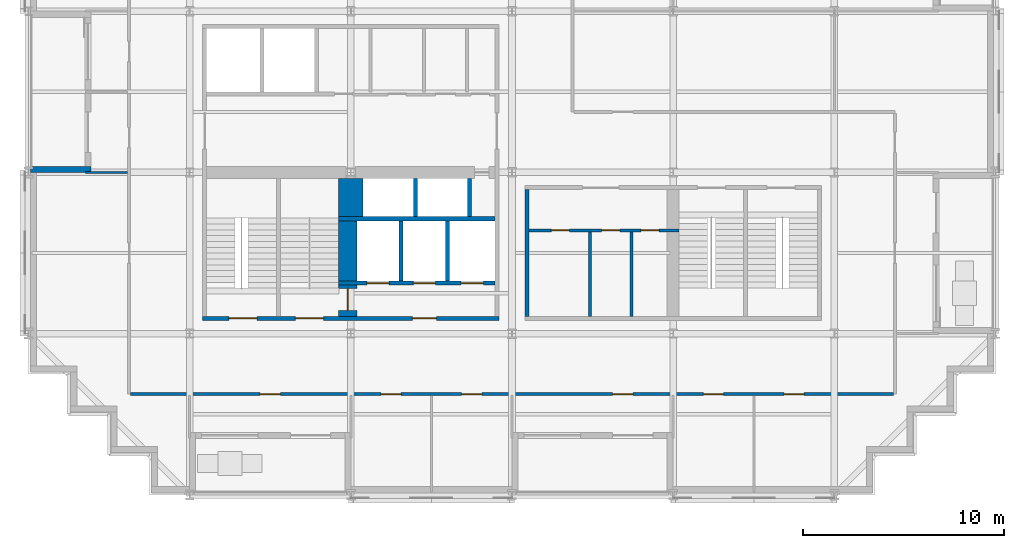
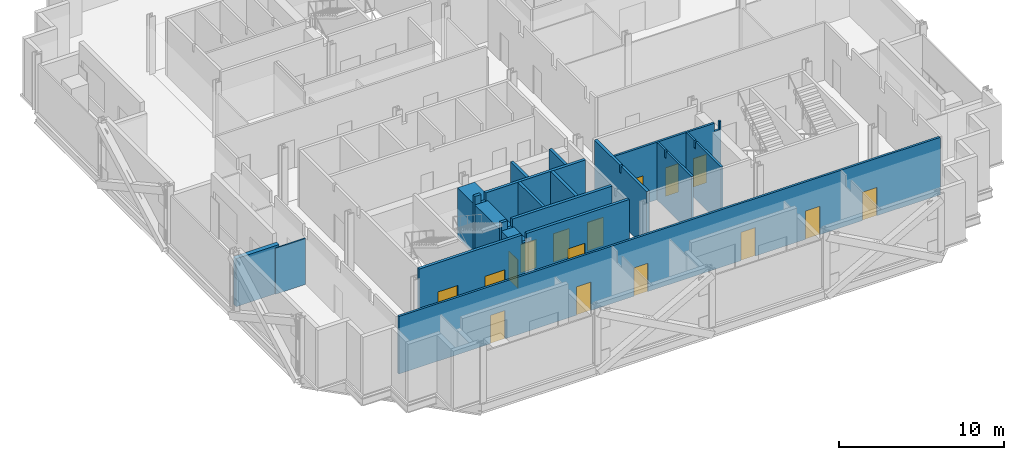
# One storey, part 5 of 13: 17 walls, 16 doors, 16 openings.
"""IFC4 building model written with IfcOpenShell, lengths in metres."""

import ifcopenshell
import ifcopenshell.guid

model = None  # the IFC model being written
_history = None  # IfcOwnerHistory: only IFC2X3 demands one
_inside = {}  # id of a spatial element -> (the spatial element, [elements in it])
_under = {}  # id of a project, library or spatial element -> (it, [spatial elements below it])
_declared = {}  # id of a project -> (the project, [libraries it declares])
_typed = {}  # id of a type object -> (the type object, [elements of that type])
_made_of = {}  # id of a material, layer set ... -> (it, [elements and type objects made of it])


def new_model(schema):
    """Start an empty IFC model of exactly this schema.

    Asked for "IFC4X3", IfcOpenShell would pick the latest addendum, in which some entities
    have other attributes; the version numbers below select the first issue.
    IFC2X3 requires an IfcOwnerHistory on every rooted entity: one is made here for all.
    """
    global model, _history
    if schema == "IFC4X3":
        model = ifcopenshell.file(schema_version=(4, 3, 0, 0))
    else:
        model = ifcopenshell.file(schema=schema)
    _inside.clear()
    _under.clear()
    _declared.clear()
    _typed.clear()
    _made_of.clear()
    _history = None
    if model.schema == "IFC2X3":
        org = make("IfcOrganization", Name="unknown")
        user = make(
            "IfcPersonAndOrganization",
            ThePerson=make("IfcPerson", FamilyName="unknown"),
            TheOrganization=org,
        )
        app = make(
            "IfcApplication",
            ApplicationDeveloper=org,
            Version="unknown",
            ApplicationFullName="unknown",
            ApplicationIdentifier="unknown",
        )
        _history = make(
            "IfcOwnerHistory",
            OwningUser=user,
            OwningApplication=app,
            ChangeAction="ADDED",
            CreationDate=0,
        )
    return model


def make(cls, **values):
    """One entity of the class cls with the attributes given. An attribute that is None is left unset."""
    return model.create_entity(
        cls, **{name: value for name, value in values.items() if value is not None}
    )


def rooted(cls, **values):
    """An entity with a GlobalId (a new one), such as an element, a storey or a relation."""
    return make(cls, GlobalId=ifcopenshell.guid.new(), OwnerHistory=_history, **values)


def si_unit(unit_type, name, prefix=None):
    """IfcSIUnit, for example si_unit("LENGTHUNIT", "METRE", prefix="MILLI")."""
    return make("IfcSIUnit", UnitType=unit_type, Prefix=prefix, Name=name)


def assignment(units):
    """IfcUnitAssignment: the units of a project."""
    return None if units is None else make("IfcUnitAssignment", Units=units)


def point(xyz):
    """IfcCartesianPoint."""
    return None if xyz is None else make("IfcCartesianPoint", Coordinates=xyz)


def direction(xyz):
    """IfcDirection."""
    return None if xyz is None else make("IfcDirection", DirectionRatios=xyz)


def frame(location, z_axis=None, x_axis=None):
    """IfcAxis2Placement3D, a coordinate frame: its origin and axes. An axis left out is left unset."""
    return make(
        "IfcAxis2Placement3D",
        Location=point(location),
        Axis=direction(z_axis),
        RefDirection=direction(x_axis),
    )


def frame_2d(location, x_axis=None):
    """IfcAxis2Placement2D, a coordinate frame in the plane: its origin and x axis."""
    return make(
        "IfcAxis2Placement2D", Location=point(location), RefDirection=direction(x_axis)
    )


def origin():
    """The frame at (0, 0, 0) with its axes left unset."""
    return frame((0.0, 0.0, 0.0))


def place(relative_to, where):
    """IfcLocalPlacement: puts the frame where relative to a parent placement (None: the world)."""
    return make(
        "IfcLocalPlacement", PlacementRelTo=relative_to, RelativePlacement=where
    )


def context(
    kind, dimensions, precision=None, world=None, true_north=None, identifier=None
):
    """IfcGeometricRepresentationContext, for example the 3D "Model" context."""
    return make(
        "IfcGeometricRepresentationContext",
        ContextIdentifier=identifier,
        ContextType=kind,
        CoordinateSpaceDimension=dimensions,
        Precision=precision,
        WorldCoordinateSystem=world,
        TrueNorth=true_north,
    )


def subcontext(parent, identifier, kind, view, scale=None):
    """IfcGeometricRepresentationSubContext, for example "Body" below "Model"."""
    return make(
        "IfcGeometricRepresentationSubContext",
        ContextIdentifier=identifier,
        ContextType=kind,
        ParentContext=parent,
        TargetScale=scale,
        TargetView=view,
    )


def project(units=None, contexts=None):
    """IfcProject with its units and contexts."""
    return rooted(
        "IfcProject",
        Name="project",
        RepresentationContexts=contexts,
        UnitsInContext=assignment(units),
    )


def spatial(cls, under=None, at=None, **own):
    """A site, building, storey or space (cls), placed at a placement, below another one or the project."""
    s = rooted(cls, ObjectPlacement=at, **own)
    if under is not None:
        _under.setdefault(under.id(), (under, []))[1].append(s)
    return s


def polyline(points):
    """IfcPolyline through the points."""
    return make("IfcPolyline", Points=[point(p) for p in points])


def profile(cls, at=None, kind="AREA", **sizes):
    """A parametric profile (cls). Its sizes go by their IFC names, for example OverallWidth=200.0."""
    return make(cls, ProfileType=kind, Position=at, **sizes)


def rectangle(**sizes):
    """IfcRectangleProfileDef."""
    return profile("IfcRectangleProfileDef", **sizes)


def outline(outer, holes=None, kind="AREA"):
    """IfcArbitraryClosedProfileDef: a profile drawn as a closed curve; with holes, ...WithVoids."""
    if holes is None:
        return make("IfcArbitraryClosedProfileDef", ProfileType=kind, OuterCurve=outer)
    return make(
        "IfcArbitraryProfileDefWithVoids",
        ProfileType=kind,
        OuterCurve=outer,
        InnerCurves=holes,
    )


def extrude(swept, where, along, depth):
    """IfcExtrudedAreaSolid: the profile swept, set in the frame where, extruded along a direction by depth."""
    return make(
        "IfcExtrudedAreaSolid",
        SweptArea=swept,
        Position=where,
        ExtrudedDirection=direction(along),
        Depth=depth,
    )


def shape(context_of_items, identifier, shape_type, items):
    """IfcShapeRepresentation: the items that make up one representation, for example the "Body"."""
    return make(
        "IfcShapeRepresentation",
        ContextOfItems=context_of_items,
        RepresentationIdentifier=identifier,
        RepresentationType=shape_type,
        Items=items,
    )


def material(Name=None, Category=None):
    """IfcMaterial."""
    return make("IfcMaterial", Name=Name, Category=Category)


def layer(
    of_material, thickness, ventilated=None, Name=None, Category=None, Priority=None
):
    """IfcMaterialLayer: one layer of a wall or slab, of a material (None: an air gap)."""
    return make(
        "IfcMaterialLayer",
        Material=of_material,
        LayerThickness=thickness,
        IsVentilated=ventilated,
        Name=Name,
        Category=Category,
        Priority=Priority,
    )


def layer_set(layers, Name=None):
    """IfcMaterialLayerSet."""
    return make("IfcMaterialLayerSet", MaterialLayers=layers, LayerSetName=Name)


def made_of(thing, what):
    """Note that an element or type object is made of a material, layer set ...; save() writes the relation."""
    if what is not None:
        _made_of.setdefault(what.id(), (what, []))[1].append(thing)
    return thing


def type_object(cls, material=None, **own):
    """A type object (cls), such as IfcWallType, which elements share."""
    return made_of(rooted(cls, **own), material)


def element(
    cls,
    number,
    at=None,
    inside=None,
    cuts=None,
    type_object=None,
    material=None,
    context=None,
    identifier="Body",
    shape_type=None,
    held_by="IfcProductDefinitionShape",
    body=None,
    shapes=None,
    **own,
):
    """One element of the class cls, such as IfcWall. Its Tag is "e" and its number.

    at: its placement. inside: the storey or other place that contains it. cuts: it is an
    opening in that element (IfcRelVoidsElement). A single representation is given by context,
    identifier, shape_type and body (its items); several are given by shapes. held_by: the class
    of the entity that holds the representations. save() writes the other relations.
    """
    e = rooted(cls, Tag="e%d" % number, ObjectPlacement=at, **own)
    if body is not None:
        shapes = [shape(context, identifier, shape_type, body)]
    if shapes is not None:
        e.Representation = make(held_by, Representations=shapes)
    if inside is not None:
        _inside.setdefault(inside.id(), (inside, []))[1].append(e)
    if cuts is not None:
        rooted(
            "IfcRelVoidsElement", RelatingBuildingElement=cuts, RelatedOpeningElement=e
        )
    if type_object is not None:
        _typed.setdefault(type_object.id(), (type_object, []))[1].append(e)
    return made_of(e, material)


def fill(opening, filler):
    """IfcRelFillsElement: the door or window that sits in an opening."""
    return rooted(
        "IfcRelFillsElement",
        RelatingOpeningElement=opening,
        RelatedBuildingElement=filler,
    )


def aggregate(whole, parts):
    """IfcRelAggregates: a whole, such as a stair, and the parts it consists of."""
    return rooted("IfcRelAggregates", RelatingObject=whole, RelatedObjects=parts)


def save(model, path):
    """Write the relations noted so far, then the file.

    IfcRelAggregates (storeys below a building ...), IfcRelContainedInSpatialStructure (elements
    in a storey), IfcRelDefinesByType, IfcRelAssociatesMaterial and IfcRelDeclares: one each for
    every whole, place, type object, material and project.
    """
    for whole, parts in _under.values():
        aggregate(whole, parts)
    for where, things in _inside.values():
        rooted(
            "IfcRelContainedInSpatialStructure",
            RelatedElements=things,
            RelatingStructure=where,
        )
    for kind, things in _typed.values():
        rooted("IfcRelDefinesByType", RelatedObjects=things, RelatingType=kind)
    for what, things in _made_of.values():
        rooted("IfcRelAssociatesMaterial", RelatedObjects=things, RelatingMaterial=what)
    for by, libraries in _declared.values():
        rooted("IfcRelDeclares", RelatingContext=by, RelatedDefinitions=libraries)
    model.write(path)


model = new_model("IFC4")

# Units and contexts
model_context = context("Model", 3, precision=1e-05, world=origin(), true_north=direction((0.0, 1.0)))
body_context = subcontext(model_context, "Body", "Model", "MODEL_VIEW")
ifc_project = project(units=[si_unit("LENGTHUNIT", "METRE"), si_unit("AREAUNIT", "SQUARE_METRE"), si_unit("VOLUMEUNIT", "CUBIC_METRE"), si_unit("PLANEANGLEUNIT", "RADIAN"), si_unit("MASSUNIT", "GRAM", prefix="KILO")], contexts=[model_context])

# Site, building, storey
site_placement = place(None, origin())
site = spatial("IfcSite", under=ifc_project, at=site_placement, CompositionType="ELEMENT")
building_placement = place(site_placement, origin())
building = spatial("IfcBuilding", under=site, at=building_placement, Name="Immortelle Media Tower", CompositionType="ELEMENT")
storey_placement = place(building_placement, frame((0.0, 0.0, 56.800048828125)))
storey = spatial("IfcBuildingStorey", under=building, at=storey_placement, Name="L09", CompositionType="ELEMENT", Elevation=56.800048828125)

# Wall, openings, doors
ifc_material_1 = material(Name="Fire-rated gypsum board", Category="gypsum")
ifc_layer_1 = layer(ifc_material_1, 0.02490234375)
ifc_material_2 = material(Name="Steel ASTM A653 SS Gr 50 stud frame with mineral wool", Category="steel")
ifc_layer_2 = layer(ifc_material_2, 0.10009765625)
ifc_layer_3 = layer(ifc_material_1, 0.02490234375)
ifc_layer_set_1 = layer_set([ifc_layer_1, ifc_layer_2, ifc_layer_3], Name="Steel ASTM A653 SS Gr 50 stud frame with mineral wool")
wall_type_1 = type_object("IfcWallType", Name="Core partition 150", PredefinedType="PARTITIONING", material=ifc_layer_set_1)
wall_1_placement = place(storey_placement, frame((24.85009765625, 13.125, 0.0), z_axis=(0.0, 0.0, 1.0), x_axis=(1.0, 0.0, 0.0)))
wall_1 = element("IfcWall", 1, at=wall_1_placement, inside=storey, type_object=wall_type_1, Name="Core partition SE", PredefinedType="PARTITIONING", context=body_context, shape_type="SweptSolid", body=[
    extrude(outline(polyline([(0.0, 0.0), (7.449951171875, 0.0), (7.449951171875, 4.25), (7.31689453125, 4.25), (7.31591796875, 3.6318359375), (6.98388671875, 3.6318359375), (6.98291015625, 4.25), (0.0, 4.25), (0.0, 0.0)])), frame((0.0, 0.074951171875, 0.0), z_axis=(0.0, -1.0, 0.0), x_axis=(1.0, 0.0, 0.0)), (0.0, 0.0, 1.0), 0.14990234375),
])
opening_1_placement = place(wall_1_placement, frame((2.0, 0.0, 0.0), z_axis=(0.0, 0.0, 1.0), x_axis=(-1.0, 0.0, 0.0)))
opening_1 = element("IfcOpeningElement", 2, at=opening_1_placement, cuts=wall_1, Name="Opening N2-K044", PredefinedType="OPENING", context=body_context, shape_type="SweptSolid", body=[
    extrude(rectangle(XDim=0.89990234375, YDim=2.10009765625, at=frame_2d((0.449951171875, 1.050048828125))), frame((0.0, 0.0849609375, 0.0), z_axis=(0.0, -1.0, 0.0), x_axis=(1.0, 0.0, 0.0)), (0.0, 0.0, 1.0), 0.169921875),
])
opening_2_placement = place(wall_1_placement, frame((4.5, 0.0, 0.0), z_axis=(0.0, 0.0, 1.0), x_axis=(-1.0, 0.0, 0.0)))
opening_2 = element("IfcOpeningElement", 3, at=opening_2_placement, cuts=wall_1, Name="Opening N2-K045", PredefinedType="OPENING", context=body_context, shape_type="SweptSolid", body=[
    extrude(rectangle(XDim=0.89990234375, YDim=2.10009765625, at=frame_2d((0.449951171875, 1.050048828125))), frame((0.0, 0.0849609375, 0.0), z_axis=(0.0, -1.0, 0.0), x_axis=(1.0, 0.0, 0.0)), (0.0, 0.0, 1.0), 0.169921875),
])
opening_3_placement = place(wall_1_placement, frame((6.449951171875, 0.0, 0.0), z_axis=(0.0, 0.0, 1.0), x_axis=(-1.0, 0.0, 0.0)))
opening_3 = element("IfcOpeningElement", 4, at=opening_3_placement, cuts=wall_1, Name="Opening N2-K046", PredefinedType="OPENING", context=body_context, shape_type="SweptSolid", body=[
    extrude(rectangle(XDim=0.89990234375, YDim=2.10009765625, at=frame_2d((0.449951171875, 1.050048828125))), frame((0.0, 0.0849609375, 0.0), z_axis=(0.0, -1.0, 0.0), x_axis=(1.0, 0.0, 0.0)), (0.0, 0.0, 1.0), 0.169921875),
])
ifc_material_3 = material(Name="Timber", Category="wood")
door_type_1 = type_object("IfcDoorType", Name="Room door 900 x 2100", OperationType="NOTDEFINED", PredefinedType="NOTDEFINED", material=ifc_material_3)
door_1_placement = place(opening_1_placement, origin())
door_1 = element("IfcDoor", 5, at=door_1_placement, inside=storey, type_object=door_type_1, Name="Room N2-K044", OperationType="SINGLE_SWING_RIGHT", OverallHeight=2.10009765625, OverallWidth=0.89990234375, PredefinedType="NOTDEFINED", context=body_context, shape_type="SweptSolid", body=[
    extrude(rectangle(XDim=0.89990234375, YDim=2.10009765625, at=frame_2d((0.449951171875, 1.050048828125))), frame((0.0, 0.02490234375, 0.0), z_axis=(0.0, -1.0, 0.0), x_axis=(1.0, 0.0, 0.0)), (0.0, 0.0, 1.0), 0.050048828125),
])
fill(opening_1, door_1)
door_2_placement = place(opening_2_placement, origin())
door_2 = element("IfcDoor", 6, at=door_2_placement, inside=storey, type_object=door_type_1, Name="Room N2-K045", OperationType="SINGLE_SWING_LEFT", OverallHeight=2.10009765625, OverallWidth=0.89990234375, PredefinedType="NOTDEFINED", context=body_context, shape_type="SweptSolid", body=[
    extrude(rectangle(XDim=0.89990234375, YDim=2.10009765625, at=frame_2d((0.449951171875, 1.050048828125))), frame((0.0, 0.02490234375, 0.0), z_axis=(0.0, -1.0, 0.0), x_axis=(1.0, 0.0, 0.0)), (0.0, 0.0, 1.0), 0.050048828125),
])
fill(opening_2, door_2)
ifc_material_4 = material(Name="Galvanised steel door leaf and frame ASTM A653", Category="steel")
door_type_2 = type_object("IfcDoorType", Name="Service door 900 x 2100", OperationType="NOTDEFINED", PredefinedType="NOTDEFINED", material=ifc_material_4)
door_3_placement = place(opening_3_placement, origin())
door_3 = element("IfcDoor", 7, at=door_3_placement, inside=storey, type_object=door_type_2, Name="Service N2-K046", OperationType="SINGLE_SWING_LEFT", OverallHeight=2.10009765625, OverallWidth=0.89990234375, PredefinedType="NOTDEFINED", context=body_context, shape_type="SweptSolid", body=[
    extrude(rectangle(XDim=0.89990234375, YDim=2.10009765625, at=frame_2d((0.449951171875, 1.050048828125))), frame((0.0, 0.02490234375, 0.0), z_axis=(0.0, -1.0, 0.0), x_axis=(1.0, 0.0, 0.0)), (0.0, 0.0, 1.0), 0.050048828125),
])
fill(opening_3, door_3)

# Walls
for number, where, z_axis, x_axis, name in (
    (8, (27.875, 8.85009765625, 0.0), (0.0, 0.0, 1.0), (0.0, 1.0, 0.0), "Core partition SE"),
    (9, (29.925048828125, 8.85009765625, 0.0), (0.0, 0.0, 1.0), (0.0, 1.0, 0.0), "Core partition SE"),
):
    element("IfcWall", number, at=place(storey_placement, frame(where, z_axis=z_axis, x_axis=x_axis)), inside=storey, type_object=wall_type_1, Name=name, PredefinedType="PARTITIONING", context=body_context, shape_type="SweptSolid", body=[
        extrude(outline(polyline([(0.0, 0.0), (4.199951171875, 0.0), (4.199951171875, 4.25), (3.238525390625, 4.25), (3.237548828125, 3.7080078125), (3.0625, 3.7080078125), (3.0615234375, 4.25), (0.0, 4.25), (0.0, 0.0)])), frame((0.0, 0.074951171875, 0.0), z_axis=(0.0, -1.0, 0.0), x_axis=(1.0, 0.0, 0.0)), (0.0, 0.0, 1.0), 0.14990234375),
    ])

# Wall, openings, doors
ifc_layer_4 = layer(ifc_material_1, 0.03759765625)
ifc_layer_5 = layer(ifc_material_2, 0.125)
ifc_layer_6 = layer(ifc_material_1, 0.03759765625)
ifc_layer_set_2 = layer_set([ifc_layer_4, ifc_layer_5, ifc_layer_6], Name="Steel ASTM A653 SS Gr 50 stud frame with mineral wool")
wall_type_2 = type_object("IfcWallType", Name="Core shaft wall 200", PredefinedType="PARTITIONING", material=ifc_layer_set_2)
wall_2_placement = place(storey_placement, frame((15.39990234375, 10.5, 0.0), z_axis=(0.0, 0.0, 1.0), x_axis=(1.0, 0.0, 0.0)))
wall_2 = element("IfcWall", 10, at=wall_2_placement, inside=storey, type_object=wall_type_2, Name="Core shaft wall SW", PredefinedType="PARTITIONING", context=body_context, shape_type="SweptSolid", body=[
    extrude(outline(polyline([(0.0, 0.0), (7.75, 0.0), (7.75, 4.25), (0.76708984375, 4.25), (0.76611328125, 3.6318359375), (0.43408203125, 3.6318359375), (0.43310546875, 4.25), (0.0, 4.25), (0.0, 0.0)])), frame((0.0, 0.10009765625, 0.0), z_axis=(0.0, -1.0, 0.0), x_axis=(1.0, 0.0, 0.0)), (0.0, 0.0, 1.0), 0.199951171875),
])
opening_4_placement = place(wall_2_placement, frame((1.39990234375, 0.0, 0.0)))
opening_4 = element("IfcOpeningElement", 11, at=opening_4_placement, cuts=wall_2, Name="Opening LD", PredefinedType="OPENING", context=body_context, shape_type="SweptSolid", body=[
    extrude(rectangle(XDim=1.10009765625, YDim=2.10009765625, at=frame_2d((0.550048828125, 1.050048828125))), frame((0.0, 0.10986328125, 0.0), z_axis=(0.0, -1.0, 0.0), x_axis=(1.0, 0.0, 0.0)), (0.0, 0.0, 1.0), 0.219970703125),
])
opening_5_placement = place(wall_2_placement, frame((3.699951171875, 0.0, 0.0)))
opening_5 = element("IfcOpeningElement", 12, at=opening_5_placement, cuts=wall_2, Name="Opening LD", PredefinedType="OPENING", context=body_context, shape_type="SweptSolid", body=[
    extrude(rectangle(XDim=1.10009765625, YDim=2.10009765625, at=frame_2d((0.550048828125, 1.050048828125))), frame((0.0, 0.10986328125, 0.0), z_axis=(0.0, -1.0, 0.0), x_axis=(1.0, 0.0, 0.0)), (0.0, 0.0, 1.0), 0.219970703125),
])
opening_6_placement = place(wall_2_placement, frame((6.074951171875, 0.0, 0.0)))
opening_6 = element("IfcOpeningElement", 13, at=opening_6_placement, cuts=wall_2, Name="Opening LD", PredefinedType="OPENING", context=body_context, shape_type="SweptSolid", body=[
    extrude(rectangle(XDim=1.10009765625, YDim=2.10009765625, at=frame_2d((0.550048828125, 1.050048828125))), frame((0.0, 0.10986328125, 0.0), z_axis=(0.0, -1.0, 0.0), x_axis=(1.0, 0.0, 0.0)), (0.0, 0.0, 1.0), 0.219970703125),
])
ifc_material_5 = material(Name="Stainless steel AISI 304", Category="steel")
door_type_3 = type_object("IfcDoorType", Name="Landing door 1100 x 2100", OperationType="SLIDING_TO_LEFT", PredefinedType="NOTDEFINED", material=ifc_material_5)
door_4_placement = place(opening_4_placement, origin())
door_4 = element("IfcDoor", 14, at=door_4_placement, inside=storey, type_object=door_type_3, Name="Landing door FF1 L09", OperationType="SLIDING_TO_LEFT", OverallHeight=2.10009765625, OverallWidth=1.10009765625, PredefinedType="NOTDEFINED", context=body_context, shape_type="SweptSolid", body=[
    extrude(rectangle(XDim=1.10009765625, YDim=2.10009765625, at=frame_2d((0.550048828125, 1.050048828125))), frame((0.0, 0.02490234375, 0.0), z_axis=(0.0, -1.0, 0.0), x_axis=(1.0, 0.0, 0.0)), (0.0, 0.0, 1.0), 0.050048828125),
])
fill(opening_4, door_4)
door_5_placement = place(opening_5_placement, origin())
door_5 = element("IfcDoor", 15, at=door_5_placement, inside=storey, type_object=door_type_3, Name="Landing door FF2 L09", OperationType="SLIDING_TO_LEFT", OverallHeight=2.10009765625, OverallWidth=1.10009765625, PredefinedType="NOTDEFINED", context=body_context, shape_type="SweptSolid", body=[
    extrude(rectangle(XDim=1.10009765625, YDim=2.10009765625, at=frame_2d((0.550048828125, 1.050048828125))), frame((0.0, 0.02490234375, 0.0), z_axis=(0.0, -1.0, 0.0), x_axis=(1.0, 0.0, 0.0)), (0.0, 0.0, 1.0), 0.050048828125),
])
fill(opening_5, door_5)
door_6_placement = place(opening_6_placement, origin())
door_6 = element("IfcDoor", 16, at=door_6_placement, inside=storey, type_object=door_type_3, Name="Landing door FF3 L09", OperationType="SLIDING_TO_LEFT", OverallHeight=2.10009765625, OverallWidth=1.10009765625, PredefinedType="NOTDEFINED", context=body_context, shape_type="SweptSolid", body=[
    extrude(rectangle(XDim=1.10009765625, YDim=2.10009765625, at=frame_2d((0.550048828125, 1.050048828125))), frame((0.0, 0.02490234375, 0.0), z_axis=(0.0, -1.0, 0.0), x_axis=(1.0, 0.0, 0.0)), (0.0, 0.0, 1.0), 0.050048828125),
])
fill(opening_6, door_6)

# Walls
wall_3_placement = place(storey_placement, frame((15.39990234375, 13.699951171875, 0.0), z_axis=(0.0, 0.0, 1.0), x_axis=(1.0, 0.0, 0.0)))
element("IfcWall", 17, at=wall_3_placement, inside=storey, type_object=wall_type_2, Name="Core shaft wall SW", PredefinedType="PARTITIONING", context=body_context, shape_type="SweptSolid", body=[
    extrude(outline(polyline([(0.0, 0.0), (7.75, 0.0), (7.75, 4.25), (0.76708984375, 4.25), (0.76611328125, 3.6318359375), (0.43408203125, 3.6318359375), (0.43310546875, 4.25), (0.0, 4.25), (0.0, 0.0)])), frame((0.0, 0.10009765625, 0.0), z_axis=(0.0, -1.0, 0.0), x_axis=(1.0, 0.0, 0.0)), (0.0, 0.0, 1.0), 0.199951171875),
])
wall_4_placement = place(storey_placement, frame((18.5, 10.60009765625, 0.0), z_axis=(0.0, 0.0, 1.0), x_axis=(0.0, 1.0, 0.0)))
element("IfcWall", 18, at=wall_4_placement, inside=storey, type_object=wall_type_2, Name="Core shaft wall SW", PredefinedType="PARTITIONING", context=body_context, shape_type="SweptSolid", body=[
    extrude(rectangle(XDim=3.0, YDim=0.199951171875, at=frame_2d((1.5, 0.0))), origin(), (0.0, 0.0, 1.0), 4.25),
])
wall_5_placement = place(storey_placement, frame((19.199951171875, 13.800048828125, 0.0), z_axis=(0.0, 0.0, 1.0), x_axis=(0.0, 1.0, 0.0)))
element("IfcWall", 19, at=wall_5_placement, inside=storey, type_object=wall_type_2, Name="Core shaft wall SW", PredefinedType="PARTITIONING", context=body_context, shape_type="SweptSolid", body=[
    extrude(rectangle(XDim=1.89990234375, YDim=0.199951171875, at=frame_2d((0.949951171875, 0.0))), origin(), (0.0, 0.0, 1.0), 4.25),
])
wall_6_placement = place(storey_placement, frame((20.800048828125, 10.60009765625, 0.0), z_axis=(0.0, 0.0, 1.0), x_axis=(0.0, 1.0, 0.0)))
element("IfcWall", 20, at=wall_6_placement, inside=storey, type_object=wall_type_2, Name="Core shaft wall SW", PredefinedType="PARTITIONING", context=body_context, shape_type="SweptSolid", body=[
    extrude(rectangle(XDim=3.0, YDim=0.199951171875, at=frame_2d((1.5, 0.0))), origin(), (0.0, 0.0, 1.0), 4.25),
])
wall_7_placement = place(storey_placement, frame((21.89990234375, 13.800048828125, 0.0), z_axis=(0.0, 0.0, 1.0), x_axis=(0.0, 1.0, 0.0)))
element("IfcWall", 21, at=wall_7_placement, inside=storey, type_object=wall_type_2, Name="Core shaft wall SW", PredefinedType="PARTITIONING", context=body_context, shape_type="SweptSolid", body=[
    extrude(rectangle(XDim=1.89990234375, YDim=0.199951171875, at=frame_2d((0.949951171875, 0.0))), origin(), (0.0, 0.0, 1.0), 4.25),
])
wall_8_placement = place(storey_placement, frame((24.75, 8.85009765625, 0.0), z_axis=(0.0, 0.0, 1.0), x_axis=(0.0, 1.0, 0.0)))
element("IfcWall", 22, at=wall_8_placement, inside=storey, type_object=wall_type_2, Name="Core shaft wall SE", PredefinedType="PARTITIONING", context=body_context, shape_type="SweptSolid", body=[
    extrude(outline(polyline([(0.0, 0.0), (6.2998046875, 0.0), (6.300048828125, 4.25), (3.238525390625, 4.25), (3.237548828125, 3.7080078125), (3.0625, 3.7080078125), (3.0615234375, 4.25), (0.0, 4.25), (0.0, 0.0)])), frame((0.0, 0.10009765625, 0.0), z_axis=(0.0, -1.0, 0.0), x_axis=(1.0, 0.0, 0.0)), (0.0, 0.0, 1.0), 0.199951171875),
])

# Wall, openings, doors
ifc_layer_7 = layer(ifc_material_1, 0.012451171875)
ifc_layer_8 = layer(ifc_material_2, 0.125)
ifc_layer_9 = layer(ifc_material_1, 0.012451171875)
ifc_layer_set_3 = layer_set([ifc_layer_7, ifc_layer_8, ifc_layer_9], Name="Steel ASTM A653 SS Gr 50 stud frame with mineral wool")
wall_type_3 = type_object("IfcWallType", Name="Corridor wall 150", PredefinedType="PARTITIONING", material=ifc_layer_set_3)
wall_9_placement = place(storey_placement, frame((5.074951171875, 5.0, 0.0), z_axis=(0.0, 0.0, 1.0), x_axis=(1.0, 0.0, 0.0)))
wall_9 = element("IfcWall", 23, at=wall_9_placement, inside=storey, type_object=wall_type_3, Name="Partition L09-007", PredefinedType="PARTITIONING", context=body_context, shape_type="SweptSolid", body=[
    extrude(rectangle(XDim=37.85009765625, YDim=0.14990234375, at=frame_2d((18.925048828125, 0.0))), origin(), (0.0, 0.0, 1.0), 4.25),
])
opening_7_placement = place(wall_9_placement, frame((13.425048828125, 0.0, 0.0), z_axis=(0.0, 0.0, 1.0), x_axis=(-1.0, 0.0, 0.0)))
opening_7 = element("IfcOpeningElement", 24, at=opening_7_placement, cuts=wall_9, Name="Opening N2-F001", PredefinedType="OPENING", context=body_context, shape_type="SweptSolid", body=[
    extrude(rectangle(XDim=1.0, YDim=2.10009765625, at=frame_2d((0.5, 1.050048828125))), frame((0.0, 0.0849609375, 0.0), z_axis=(0.0, -1.0, 0.0), x_axis=(1.0, 0.0, 0.0)), (0.0, 0.0, 1.0), 0.169921875),
])
opening_8_placement = place(wall_9_placement, frame((17.425048828125, 0.0, 0.0), z_axis=(0.0, 0.0, 1.0), x_axis=(-1.0, 0.0, 0.0)))
opening_8 = element("IfcOpeningElement", 25, at=opening_8_placement, cuts=wall_9, Name="Opening N2-F002", PredefinedType="OPENING", context=body_context, shape_type="SweptSolid", body=[
    extrude(rectangle(XDim=1.0, YDim=2.10009765625, at=frame_2d((0.5, 1.050048828125))), frame((0.0, 0.0849609375, 0.0), z_axis=(0.0, -1.0, 0.0), x_axis=(1.0, 0.0, 0.0)), (0.0, 0.0, 1.0), 0.169921875),
])
opening_9_placement = place(wall_9_placement, frame((29.425048828125, 0.0, 0.0), z_axis=(0.0, 0.0, 1.0), x_axis=(-1.0, 0.0, 0.0)))
opening_9 = element("IfcOpeningElement", 26, at=opening_9_placement, cuts=wall_9, Name="Opening N2-F003", PredefinedType="OPENING", context=body_context, shape_type="SweptSolid", body=[
    extrude(rectangle(XDim=1.0, YDim=2.10009765625, at=frame_2d((0.5, 1.050048828125))), frame((0.0, 0.0849609375, 0.0), z_axis=(0.0, -1.0, 0.0), x_axis=(1.0, 0.0, 0.0)), (0.0, 0.0, 1.0), 0.169921875),
])
opening_10_placement = place(wall_9_placement, frame((33.425048828125, 0.0, 0.0), z_axis=(0.0, 0.0, 1.0), x_axis=(-1.0, 0.0, 0.0)))
opening_10 = element("IfcOpeningElement", 27, at=opening_10_placement, cuts=wall_9, Name="Opening N2-F004", PredefinedType="OPENING", context=body_context, shape_type="SweptSolid", body=[
    extrude(rectangle(XDim=1.0, YDim=2.10009765625, at=frame_2d((0.5, 1.050048828125))), frame((0.0, 0.0849609375, 0.0), z_axis=(0.0, -1.0, 0.0), x_axis=(1.0, 0.0, 0.0)), (0.0, 0.0, 1.0), 0.169921875),
])
opening_11_placement = place(wall_9_placement, frame((7.425048828125, 0.0, 0.0), z_axis=(0.0, 0.0, 1.0), x_axis=(-1.0, 0.0, 0.0)))
opening_11 = element("IfcOpeningElement", 28, at=opening_11_placement, cuts=wall_9, Name="Opening N2-F005", PredefinedType="OPENING", context=body_context, shape_type="SweptSolid", body=[
    extrude(rectangle(XDim=1.0, YDim=2.10009765625, at=frame_2d((0.5, 1.050048828125))), frame((0.0, 0.0849609375, 0.0), z_axis=(0.0, -1.0, 0.0), x_axis=(1.0, 0.0, 0.0)), (0.0, 0.0, 1.0), 0.169921875),
])
opening_12_placement = place(wall_9_placement, frame((24.925048828125, 0.0, 0.0), z_axis=(0.0, 0.0, 1.0), x_axis=(-1.0, 0.0, 0.0)))
opening_12 = element("IfcOpeningElement", 29, at=opening_12_placement, cuts=wall_9, Name="Opening N2-F006", PredefinedType="OPENING", context=body_context, shape_type="SweptSolid", body=[
    extrude(rectangle(XDim=1.0, YDim=2.10009765625, at=frame_2d((0.5, 1.050048828125))), frame((0.0, 0.0849609375, 0.0), z_axis=(0.0, -1.0, 0.0), x_axis=(1.0, 0.0, 0.0)), (0.0, 0.0, 1.0), 0.169921875),
])
ifc_material_6 = material(Name="Timber veneered door leaf, galvanised steel frame ASTM A653", Category="steel")
door_type_4 = type_object("IfcDoorType", Name="Room door 1000 x 2100", OperationType="NOTDEFINED", PredefinedType="DOOR", material=ifc_material_6)
door_7_placement = place(opening_7_placement, origin())
door_7 = element("IfcDoor", 30, at=door_7_placement, inside=storey, type_object=door_type_4, Name="Door N2-F001", OperationType="SINGLE_SWING_LEFT", OverallHeight=2.10009765625, OverallWidth=1.0, PredefinedType="DOOR", context=body_context, shape_type="SweptSolid", body=[
    extrude(rectangle(XDim=1.0, YDim=2.10009765625, at=frame_2d((0.5, 1.050048828125))), frame((0.0, 0.02490234375, 0.0), z_axis=(0.0, -1.0, 0.0), x_axis=(1.0, 0.0, 0.0)), (0.0, 0.0, 1.0), 0.050048828125),
])
fill(opening_7, door_7)
door_8_placement = place(opening_8_placement, origin())
door_8 = element("IfcDoor", 31, at=door_8_placement, inside=storey, type_object=door_type_4, Name="Door N2-F002", OperationType="SINGLE_SWING_LEFT", OverallHeight=2.10009765625, OverallWidth=1.0, PredefinedType="DOOR", context=body_context, shape_type="SweptSolid", body=[
    extrude(rectangle(XDim=1.0, YDim=2.10009765625, at=frame_2d((0.5, 1.050048828125))), frame((0.0, 0.02490234375, 0.0), z_axis=(0.0, -1.0, 0.0), x_axis=(1.0, 0.0, 0.0)), (0.0, 0.0, 1.0), 0.050048828125),
])
fill(opening_8, door_8)
door_9_placement = place(opening_9_placement, origin())
door_9 = element("IfcDoor", 32, at=door_9_placement, inside=storey, type_object=door_type_4, Name="Door N2-F003", OperationType="SINGLE_SWING_RIGHT", OverallHeight=2.10009765625, OverallWidth=1.0, PredefinedType="DOOR", context=body_context, shape_type="SweptSolid", body=[
    extrude(rectangle(XDim=1.0, YDim=2.10009765625, at=frame_2d((0.5, 1.050048828125))), frame((0.0, 0.02490234375, 0.0), z_axis=(0.0, -1.0, 0.0), x_axis=(1.0, 0.0, 0.0)), (0.0, 0.0, 1.0), 0.050048828125),
])
fill(opening_9, door_9)
door_10_placement = place(opening_10_placement, origin())
door_10 = element("IfcDoor", 33, at=door_10_placement, inside=storey, type_object=door_type_4, Name="Door N2-F004", OperationType="SINGLE_SWING_RIGHT", OverallHeight=2.10009765625, OverallWidth=1.0, PredefinedType="DOOR", context=body_context, shape_type="SweptSolid", body=[
    extrude(rectangle(XDim=1.0, YDim=2.10009765625, at=frame_2d((0.5, 1.050048828125))), frame((0.0, 0.02490234375, 0.0), z_axis=(0.0, -1.0, 0.0), x_axis=(1.0, 0.0, 0.0)), (0.0, 0.0, 1.0), 0.050048828125),
])
fill(opening_10, door_10)
door_11_placement = place(opening_11_placement, origin())
door_11 = element("IfcDoor", 34, at=door_11_placement, inside=storey, type_object=door_type_4, Name="Door N2-F005", OperationType="SINGLE_SWING_RIGHT", OverallHeight=2.10009765625, OverallWidth=1.0, PredefinedType="DOOR", context=body_context, shape_type="SweptSolid", body=[
    extrude(rectangle(XDim=1.0, YDim=2.10009765625, at=frame_2d((0.5, 1.050048828125))), frame((0.0, 0.02490234375, 0.0), z_axis=(0.0, -1.0, 0.0), x_axis=(1.0, 0.0, 0.0)), (0.0, 0.0, 1.0), 0.050048828125),
])
fill(opening_11, door_11)
door_12_placement = place(opening_12_placement, origin())
door_12 = element("IfcDoor", 35, at=door_12_placement, inside=storey, type_object=door_type_4, Name="Door N2-F006", OperationType="SINGLE_SWING_LEFT", OverallHeight=2.10009765625, OverallWidth=1.0, PredefinedType="DOOR", context=body_context, shape_type="SweptSolid", body=[
    extrude(rectangle(XDim=1.0, YDim=2.10009765625, at=frame_2d((0.5, 1.050048828125))), frame((0.0, 0.02490234375, 0.0), z_axis=(0.0, -1.0, 0.0), x_axis=(1.0, 0.0, 0.0)), (0.0, 0.0, 1.0), 0.050048828125),
])
fill(opening_12, door_12)

# Walls
ifc_material_7 = material(Name="Pale aluminium cladding panel", Category="aluminium")
ifc_layer_10 = layer(ifc_material_7, 0.030029296875)
ifc_layer_11 = layer(ifc_material_2, 0.257568359375)
ifc_material_8 = material(Name="Moisture-resistant gypsum board", Category="gypsum")
ifc_layer_12 = layer(ifc_material_8, 0.012451171875)
ifc_layer_set_4 = layer_set([ifc_layer_10, ifc_layer_11, ifc_layer_12], Name="Steel ASTM A653 SS Gr 50 stud frame with mineral wool")
wall_type_4 = type_object("IfcWallType", Name="Facade wall 300", PredefinedType="SOLIDWALL", material=ifc_layer_set_4)
wall_10_placement = place(storey_placement, frame((0.10009765625, 16.14990234375, 0.0), z_axis=(0.0, 0.0, 1.0), x_axis=(1.0, 0.0, 0.0)))
element("IfcWall", 36, at=wall_10_placement, inside=storey, type_object=wall_type_4, Name="Loggia cheek wall L09 W", PredefinedType="SOLIDWALL", context=body_context, shape_type="SweptSolid", body=[
    extrude(rectangle(XDim=3.0, YDim=0.300048828125, at=frame_2d((1.5, 0.0))), origin(), (0.0, 0.0, 1.0), 3.552978515625),
])
ifc_material_9 = material(Name="Gypsum board", Category="gypsum")
ifc_layer_13 = layer(ifc_material_9, 0.012451171875)
ifc_layer_14 = layer(ifc_material_2, 0.074951171875)
ifc_layer_15 = layer(ifc_material_9, 0.012451171875)
ifc_layer_set_5 = layer_set([ifc_layer_13, ifc_layer_14, ifc_layer_15], Name="Steel ASTM A653 SS Gr 50 stud frame with mineral wool")
wall_type_5 = type_object("IfcWallType", Name="Partition 100", PredefinedType="PARTITIONING", material=ifc_layer_set_5)
wall_11_placement = place(storey_placement, frame((2.830078125, 16.0, 0.0), z_axis=(0.0, 0.0, 1.0), x_axis=(1.0, 0.0, 0.0)))
element("IfcWall", 37, at=wall_11_placement, inside=storey, type_object=wall_type_5, Name="Partition L09-011", PredefinedType="PARTITIONING", context=body_context, shape_type="SweptSolid", body=[
    extrude(rectangle(XDim=2.094970703125, YDim=0.10009765625, at=frame_2d((1.04736328125, 0.0))), origin(), (0.0, 0.0, 1.0), 3.390869140625),
])
ifc_material_10 = material(Name="Concrete C60", Category="concrete")
ifc_layer_16 = layer(ifc_material_10, 1.199951171875)
ifc_layer_set_6 = layer_set([ifc_layer_16], Name="Concrete C60")
wall_type_6 = type_object("IfcWallType", Name="Stair shaft wall 1200", PredefinedType="PARTITIONING", material=ifc_layer_set_6)
wall_12_placement = place(storey_placement, frame((16.0, 13.800048828125, 0.0), z_axis=(0.0, 0.0, 1.0), x_axis=(0.0, 1.0, 0.0)))
element("IfcWall", 38, at=wall_12_placement, inside=storey, type_object=wall_type_6, Name="Stair shaft wall SW", PredefinedType="PARTITIONING", context=body_context, shape_type="SweptSolid", body=[
    extrude(rectangle(XDim=1.89990234375, YDim=1.199951171875, at=frame_2d((0.949951171875, 0.0))), origin(), (0.0, 0.0, 1.0), 3.6318359375),
])

# Wall, openings, doors
ifc_layer_17 = layer(ifc_material_10, 0.199951171875)
ifc_layer_set_7 = layer_set([ifc_layer_17], Name="Concrete C60")
wall_type_7 = type_object("IfcWallType", Name="Stair shaft wall 200", PredefinedType="PARTITIONING", material=ifc_layer_set_7)
wall_13_placement = place(storey_placement, frame((8.64990234375, 8.75, 0.0), z_axis=(0.0, 0.0, 1.0), x_axis=(1.0, 0.0, 0.0)))
wall_13 = element("IfcWall", 39, at=wall_13_placement, inside=storey, type_object=wall_type_7, Name="Stair shaft wall SW", PredefinedType="PARTITIONING", context=body_context, shape_type="SweptSolid", body=[
    extrude(outline(polyline([(0.0, 0.0), (14.7001953125, 0.0), (14.699951171875, 4.25), (7.51708984375, 4.25), (7.51611328125, 3.6318359375), (7.18408203125, 3.6318359375), (7.18310546875, 4.25), (0.0, 4.25), (0.0, 0.0)])), frame((0.0, 0.10009765625, 0.0), z_axis=(0.0, -1.0, 0.0), x_axis=(1.0, 0.0, 0.0)), (0.0, 0.0, 1.0), 0.199951171875),
])
opening_13_placement = place(wall_13_placement, frame((1.300048828125, 0.0, 0.0)))
opening_13 = element("IfcOpeningElement", 40, at=opening_13_placement, cuts=wall_13, Name="Opening N2-K002", PredefinedType="OPENING", context=body_context, shape_type="SweptSolid", body=[
    extrude(rectangle(XDim=1.39990234375, YDim=2.10009765625, at=frame_2d((0.699951171875, 1.050048828125))), frame((0.0, 0.10986328125, 0.0), z_axis=(0.0, -1.0, 0.0), x_axis=(1.0, 0.0, 0.0)), (0.0, 0.0, 1.0), 0.219970703125),
])
opening_14_placement = place(wall_13_placement, frame((4.60009765625, 0.0, 0.0)))
opening_14 = element("IfcOpeningElement", 41, at=opening_14_placement, cuts=wall_13, Name="Opening N2-K004", PredefinedType="OPENING", context=body_context, shape_type="SweptSolid", body=[
    extrude(rectangle(XDim=1.39990234375, YDim=2.10009765625, at=frame_2d((0.699951171875, 1.050048828125))), frame((0.0, 0.10986328125, 0.0), z_axis=(0.0, -1.0, 0.0), x_axis=(1.0, 0.0, 0.0)), (0.0, 0.0, 1.0), 0.219970703125),
])
opening_15_placement = place(wall_13_placement, frame((10.39990234375, 0.0, 0.0)))
opening_15 = element("IfcOpeningElement", 42, at=opening_15_placement, cuts=wall_13, Name="Opening N2-K010", PredefinedType="OPENING", context=body_context, shape_type="SweptSolid", body=[
    extrude(rectangle(XDim=1.199951171875, YDim=2.10009765625, at=frame_2d((0.60009765625, 1.050048828125))), frame((0.0, 0.10986328125, 0.0), z_axis=(0.0, -1.0, 0.0), x_axis=(1.0, 0.0, 0.0)), (0.0, 0.0, 1.0), 0.219970703125),
])
door_type_5 = type_object("IfcDoorType", Name="Fire-fighting lobby door 1200 x 2100", OperationType="NOTDEFINED", PredefinedType="NOTDEFINED", material=ifc_material_4)
door_13_placement = place(opening_15_placement, origin())
door_13 = element("IfcDoor", 43, at=door_13_placement, inside=storey, type_object=door_type_5, Name="Fire-fighting lobby N2-K010", OperationType="SINGLE_SWING_LEFT", OverallHeight=2.10009765625, OverallWidth=1.199951171875, PredefinedType="NOTDEFINED", context=body_context, shape_type="SweptSolid", body=[
    extrude(rectangle(XDim=1.199951171875, YDim=2.10009765625, at=frame_2d((0.60009765625, 1.050048828125))), frame((0.0, 0.02490234375, 0.0), z_axis=(0.0, -1.0, 0.0), x_axis=(1.0, 0.0, 0.0)), (0.0, 0.0, 1.0), 0.050048828125),
])
fill(opening_15, door_13)
door_type_6 = type_object("IfcDoorType", Name="Stair door 1400 x 2100", OperationType="DOUBLE_DOOR_SINGLE_SWING", PredefinedType="NOTDEFINED", material=ifc_material_4)
door_14_placement = place(opening_13_placement, origin())
door_14 = element("IfcDoor", 44, at=door_14_placement, inside=storey, type_object=door_type_6, Name="Stair N2-K002", OperationType="DOUBLE_DOOR_SINGLE_SWING", OverallHeight=2.10009765625, OverallWidth=1.39990234375, PredefinedType="NOTDEFINED", context=body_context, shape_type="SweptSolid", body=[
    extrude(rectangle(XDim=1.39990234375, YDim=2.10009765625, at=frame_2d((0.699951171875, 1.050048828125))), frame((0.0, 0.02490234375, 0.0), z_axis=(0.0, -1.0, 0.0), x_axis=(1.0, 0.0, 0.0)), (0.0, 0.0, 1.0), 0.050048828125),
])
fill(opening_13, door_14)
door_15_placement = place(opening_14_placement, origin())
door_15 = element("IfcDoor", 45, at=door_15_placement, inside=storey, type_object=door_type_6, Name="Stair N2-K004", OperationType="DOUBLE_DOOR_SINGLE_SWING", OverallHeight=2.10009765625, OverallWidth=1.39990234375, PredefinedType="NOTDEFINED", context=body_context, shape_type="SweptSolid", body=[
    extrude(rectangle(XDim=1.39990234375, YDim=2.10009765625, at=frame_2d((0.699951171875, 1.050048828125))), frame((0.0, 0.02490234375, 0.0), z_axis=(0.0, -1.0, 0.0), x_axis=(1.0, 0.0, 0.0)), (0.0, 0.0, 1.0), 0.050048828125),
])
fill(opening_14, door_15)

# Wall, opening, door
ifc_layer_18 = layer(ifc_material_10, 0.89990234375)
ifc_layer_set_8 = layer_set([ifc_layer_18], Name="Concrete C60")
wall_type_8 = type_object("IfcWallType", Name="Stair shaft wall 900", PredefinedType="PARTITIONING", material=ifc_layer_set_8)
wall_14_placement = place(storey_placement, frame((15.85009765625, 8.85009765625, 0.0), z_axis=(0.0, 0.0, 1.0), x_axis=(0.0, 1.0, 0.0)))
wall_14 = element("IfcWall", 46, at=wall_14_placement, inside=storey, type_object=wall_type_8, Name="Stair shaft wall SW", PredefinedType="PARTITIONING", context=body_context, shape_type="SweptSolid", body=[
    extrude(rectangle(XDim=1.5498046875, YDim=0.89990234375, at=frame_2d((0.77490234375, 0.0))), origin(), (0.0, 0.0, 1.0), 3.6318359375),
])
opening_16_placement = place(wall_14_placement, frame((0.300048828125, 0.0, 0.0)))
opening_16 = element("IfcOpeningElement", 47, at=opening_16_placement, cuts=wall_14, Name="Opening N2-K006", PredefinedType="OPENING", context=body_context, shape_type="SweptSolid", body=[
    extrude(rectangle(XDim=1.10009765625, YDim=2.10009765625, at=frame_2d((0.550048828125, 1.050048828125))), frame((0.0, 0.4599609375, 0.0), z_axis=(0.0, -1.0, 0.0), x_axis=(1.0, 0.0, 0.0)), (0.0, 0.0, 1.0), 0.919921875),
])
door_type_7 = type_object("IfcDoorType", Name="Stair lobby door 1100 x 2100", OperationType="NOTDEFINED", PredefinedType="NOTDEFINED", material=ifc_material_4)
door_16_placement = place(opening_16_placement, origin())
door_16 = element("IfcDoor", 48, at=door_16_placement, inside=storey, type_object=door_type_7, Name="Stair lobby N2-K006", OperationType="SINGLE_SWING_LEFT", OverallHeight=2.10009765625, OverallWidth=1.10009765625, PredefinedType="NOTDEFINED", context=body_context, shape_type="SweptSolid", body=[
    extrude(rectangle(XDim=1.10009765625, YDim=2.10009765625, at=frame_2d((0.550048828125, 1.050048828125))), frame((0.0, 0.02490234375, 0.0), z_axis=(0.0, -1.0, 0.0), x_axis=(1.0, 0.0, 0.0)), (0.0, 0.0, 1.0), 0.050048828125),
])
fill(opening_16, door_16)

# Wall
wall_15_placement = place(storey_placement, frame((15.85009765625, 10.60009765625, 0.0), z_axis=(0.0, 0.0, 1.0), x_axis=(0.0, 1.0, 0.0)))
element("IfcWall", 49, at=wall_15_placement, inside=storey, type_object=wall_type_8, Name="Stair shaft wall SW", PredefinedType="PARTITIONING", context=body_context, shape_type="SweptSolid", body=[
    extrude(rectangle(XDim=3.0, YDim=0.89990234375, at=frame_2d((1.5, 0.0))), origin(), (0.0, 0.0, 1.0), 3.6318359375),
])

save(model, "model.ifc")
